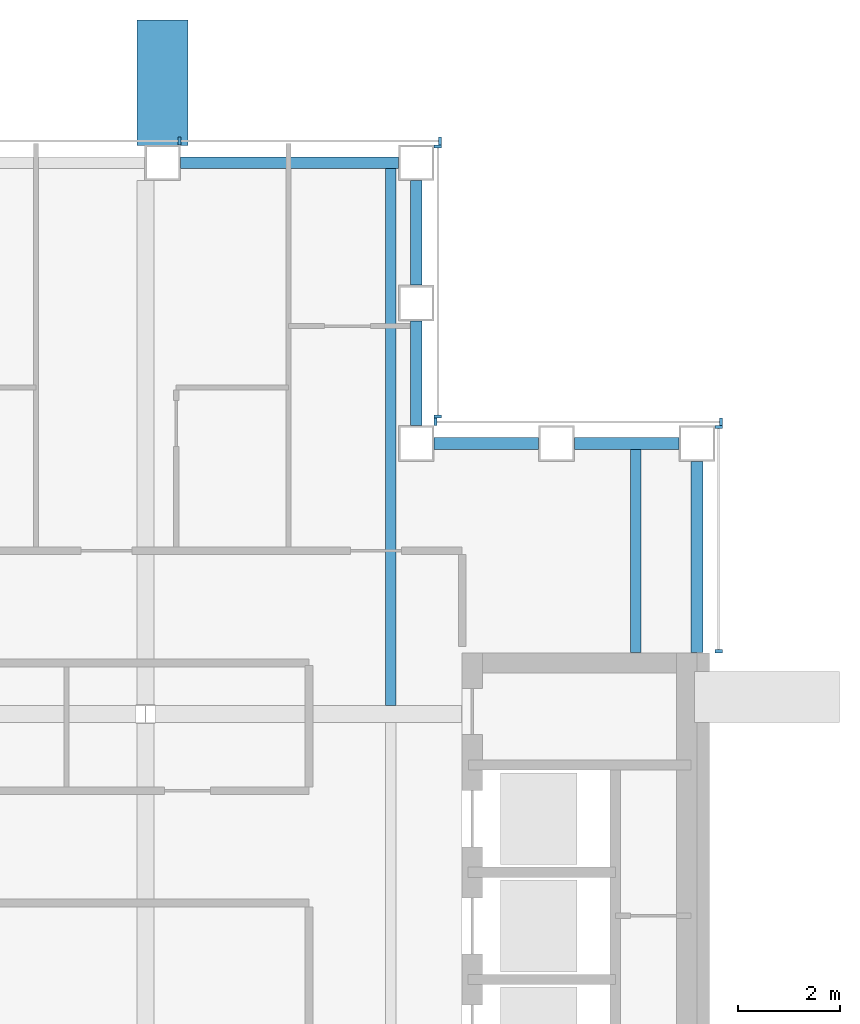
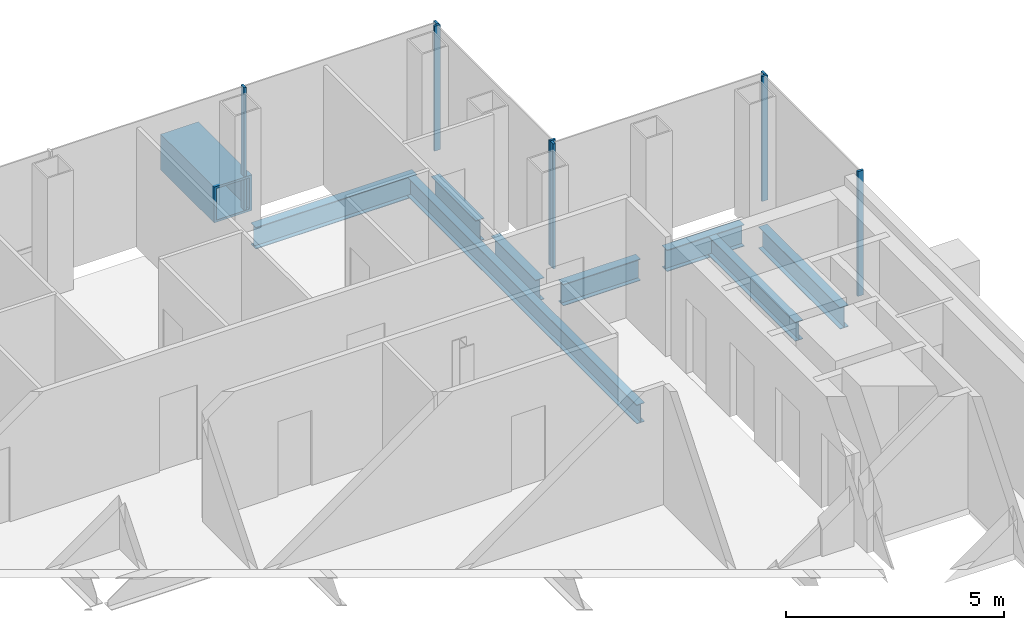
# One storey, part 7 of 14: 9 beams, 8 members, 4 elements without a shape of their own.
"""IFC4 building model written with IfcOpenShell, lengths in metres."""

from ifc_helpers import new_model, si_unit, direction, frame, origin, origin_2d, place, context, subcontext, project, spatial, rectangle, hollow_rectangle, i_section, extrude, material, material_profile, profile_set, type_object, element, aggregate, save


model = new_model("IFC4")

# Units and contexts
model_context = context("Model", 3, precision=1e-05, world=origin(), true_north=direction((0.0, 1.0)))
body_context = subcontext(model_context, "Body", "Model", "MODEL_VIEW")
ifc_project = project(units=[si_unit("LENGTHUNIT", "METRE"), si_unit("AREAUNIT", "SQUARE_METRE"), si_unit("VOLUMEUNIT", "CUBIC_METRE"), si_unit("PLANEANGLEUNIT", "RADIAN"), si_unit("MASSUNIT", "GRAM", prefix="KILO")], contexts=[model_context])

# Site, building, storey
site_placement = place(None, origin())
site = spatial("IfcSite", under=ifc_project, at=site_placement, CompositionType="ELEMENT")
building_placement = place(site_placement, origin())
building = spatial("IfcBuilding", under=site, at=building_placement, Name="Cobrizo Arcos Hotel Tower", CompositionType="ELEMENT")
storey_placement = place(building_placement, frame((0.0, 0.0, 208.5)))
storey = spatial("IfcBuildingStorey", under=building, at=storey_placement, Name="L54", CompositionType="ELEMENT", Elevation=208.5)

# Beam
ifc_material_1 = material(Name="Steel ASTM A572 Grade 50", Category="steel")
ifc_material_profile_1 = material_profile(ifc_material_1, hollow_rectangle(XDim=1.0, YDim=1.0, WallThickness=0.06005859375, at=origin_2d()), Name="BOX 1000X1000X60")
ifc_profile_set_1 = profile_set([ifc_material_profile_1], Name="Steel ASTM A572 Grade 50")
beam_type_1 = type_object("IfcBeamType", Name="BOX 1000X1000X60 brace connector strut", PredefinedType="BEAM", material=ifc_profile_set_1)
beam_1_placement = place(storey_placement, frame((9.933349609375, 20.739990234375, 0.5), z_axis=(0.0, 1.0, 0.0), x_axis=(-1.0, 0.0, 0.0)))
element("IfcBeam", 1, at=beam_1_placement, inside=storey, type_object=beam_type_1, Name="Perimeter brace stub BS1, zone Z4, north face, offset +9.93 m, L54", PredefinedType="BEAM", context=body_context, shape_type="SweptSolid", body=[
    extrude(hollow_rectangle(XDim=1.0, YDim=1.0, WallThickness=0.06005859375, at=origin_2d()), origin(), (0.0, 0.0, 1.0), 2.455078125),
])

# Curtain wall, members
ifc_material_2 = material(Name="Aluminium 6063-T6 anodised bronze", Category="aluminium")
curtain_wall_type = type_object("IfcCurtainWallType", Name="CW-A guest facade", PredefinedType="NOTDEFINED", material=ifc_material_2)
curtain_wall_1_placement = place(storey_placement, origin())
curtain_wall_1 = element("IfcCurtainWall", 2, at=curtain_wall_1_placement, inside=storey, type_object=curtain_wall_type, Name="CW-A L54 E face", PredefinedType="NOTDEFINED")
ifc_material_profile_2 = material_profile(ifc_material_2, rectangle(XDim=0.14990234375, YDim=0.06005859375, at=origin_2d()), Name="CW-A mullion 150x60")
ifc_profile_set_2 = profile_set([ifc_material_profile_2], Name="Aluminium 6063-T6 anodised bronze")
member_type = type_object("IfcMemberType", Name="CW-A mullion 150x60", PredefinedType="MULLION", material=ifc_profile_set_2)
member_1_placement = place(storey_placement, frame((20.824951171875, 10.830078125, 0.0), z_axis=(0.0, 0.0, 1.0), x_axis=(1.0, 0.0, 0.0)))
member_1 = element("IfcMember", 3, at=member_1_placement, type_object=member_type, Name="CW-A mullion 1", PredefinedType="MULLION", context=body_context, shape_type="SweptSolid", body=[
    extrude(rectangle(XDim=0.14990234375, YDim=0.06005859375, at=origin_2d()), origin(), (0.0, 0.0, 1.0), 3.5),
])
member_2_placement = place(storey_placement, frame((20.824951171875, 15.219970703125, 0.0), z_axis=(0.0, 0.0, 1.0), x_axis=(1.0, 0.0, 0.0)))
member_2 = element("IfcMember", 4, at=member_2_placement, type_object=member_type, Name="CW-A mullion 2", PredefinedType="MULLION", context=body_context, shape_type="SweptSolid", body=[
    extrude(rectangle(XDim=0.14990234375, YDim=0.06005859375, at=origin_2d()), origin(), (0.0, 0.0, 1.0), 3.5),
])
aggregate(curtain_wall_1, [member_1, member_2])

curtain_wall_2_placement = place(storey_placement, origin())
curtain_wall_2 = element("IfcCurtainWall", 5, at=curtain_wall_2_placement, inside=storey, type_object=curtain_wall_type, Name="CW-A L54 N face", PredefinedType="NOTDEFINED")
member_3_placement = place(storey_placement, frame((20.8701171875, 15.324951171875, 0.0), z_axis=(0.0, 0.0, 1.0), x_axis=(0.0, 1.0, 0.0)))
member_3 = element("IfcMember", 6, at=member_3_placement, type_object=member_type, Name="CW-A mullion 1", PredefinedType="MULLION", context=body_context, shape_type="SweptSolid", body=[
    extrude(rectangle(XDim=0.14990234375, YDim=0.06005859375, at=origin_2d()), origin(), (0.0, 0.0, 1.0), 3.5),
])
member_4_placement = place(storey_placement, frame((15.280029296875, 15.324951171875, 0.0), z_axis=(0.0, 0.0, 1.0), x_axis=(0.0, 1.0, 0.0)))
member_4 = element("IfcMember", 7, at=member_4_placement, type_object=member_type, Name="CW-A mullion 2", PredefinedType="MULLION", context=body_context, shape_type="SweptSolid", body=[
    extrude(rectangle(XDim=0.14990234375, YDim=0.06005859375, at=origin_2d()), origin(), (0.0, 0.0, 1.0), 3.5),
])
aggregate(curtain_wall_2, [member_3, member_4])

curtain_wall_3_placement = place(storey_placement, origin())
curtain_wall_3 = element("IfcCurtainWall", 8, at=curtain_wall_3_placement, inside=storey, type_object=curtain_wall_type, Name="CW-A L54 E face", PredefinedType="NOTDEFINED")
member_5_placement = place(storey_placement, frame((15.324951171875, 15.429931640625, 0.0), z_axis=(0.0, 0.0, 1.0), x_axis=(1.0, 0.0, 0.0)))
member_5 = element("IfcMember", 9, at=member_5_placement, type_object=member_type, Name="CW-A mullion 1", PredefinedType="MULLION", context=body_context, shape_type="SweptSolid", body=[
    extrude(rectangle(XDim=0.14990234375, YDim=0.06005859375, at=origin_2d()), origin(), (0.0, 0.0, 1.0), 3.5),
])
member_6_placement = place(storey_placement, frame((15.324951171875, 20.719970703125, 0.0), z_axis=(0.0, 0.0, 1.0), x_axis=(1.0, 0.0, 0.0)))
member_6 = element("IfcMember", 10, at=member_6_placement, type_object=member_type, Name="CW-A mullion 2", PredefinedType="MULLION", context=body_context, shape_type="SweptSolid", body=[
    extrude(rectangle(XDim=0.14990234375, YDim=0.06005859375, at=origin_2d()), origin(), (0.0, 0.0, 1.0), 3.5),
])
aggregate(curtain_wall_3, [member_5, member_6])

curtain_wall_4_placement = place(storey_placement, origin())
curtain_wall_4 = element("IfcCurtainWall", 11, at=curtain_wall_4_placement, inside=storey, type_object=curtain_wall_type, Name="CW-A L54 N face", PredefinedType="NOTDEFINED")
member_7_placement = place(storey_placement, frame((15.3701171875, 20.824951171875, 0.0), z_axis=(0.0, 0.0, 1.0), x_axis=(0.0, 1.0, 0.0)))
member_7 = element("IfcMember", 12, at=member_7_placement, type_object=member_type, Name="CW-A mullion 1", PredefinedType="MULLION", context=body_context, shape_type="SweptSolid", body=[
    extrude(rectangle(XDim=0.14990234375, YDim=0.06005859375, at=origin_2d()), origin(), (0.0, 0.0, 1.0), 3.5),
])
member_8_placement = place(storey_placement, frame((10.2666015625, 20.824951171875, 0.0), z_axis=(0.0, 0.0, 1.0), x_axis=(0.0, 1.0, 0.0)))
member_8 = element("IfcMember", 13, at=member_8_placement, type_object=member_type, Name="CW-A mullion 2", PredefinedType="MULLION", context=body_context, shape_type="SweptSolid", body=[
    extrude(rectangle(XDim=0.14990234375, YDim=0.06005859375, at=origin_2d()), origin(), (0.0, 0.0, 1.0), 3.5),
])
aggregate(curtain_wall_4, [member_7, member_8])

# Beams
ifc_material_3 = material(Name="Steel ASTM A992 Grade 50", Category="steel")
ifc_material_profile_3 = material_profile(ifc_material_3, i_section(OverallWidth=0.209228515625, OverallDepth=0.533447265625, WebThickness=0.01025390625, FlangeThickness=0.015625, at=origin_2d()), Name="W21X62")
ifc_profile_set_3 = profile_set([ifc_material_profile_3], Name="Steel ASTM A992 Grade 50")
beam_type_2 = type_object("IfcBeamType", Name="W21X62 joist", PredefinedType="JOIST", material=ifc_profile_set_3)
beam_2_placement = place(storey_placement, frame((14.39990234375, 9.763916015625, -0.416748046875), z_axis=(0.0, 1.0, 0.0), x_axis=(-1.0, 0.0, 0.0)))
element("IfcBeam", 14, at=beam_2_placement, inside=storey, type_object=beam_type_2, Name="Floor joist J1, L54, no. 018", PredefinedType="JOIST", context=body_context, shape_type="SweptSolid", body=[
    extrude(i_section(OverallWidth=0.209228515625, OverallDepth=0.533447265625, WebThickness=0.01025390625, FlangeThickness=0.015625, at=origin_2d()), origin(), (0.0, 0.0, 1.0), 10.546142578125),
])
beam_3_placement = place(storey_placement, frame((19.199951171875, 10.81005859375, -0.416748046875), z_axis=(0.0, 1.0, 0.0), x_axis=(-1.0, 0.0, 0.0)))
element("IfcBeam", 15, at=beam_3_placement, inside=storey, type_object=beam_type_2, Name="Floor joist J1, L54, no. 020", PredefinedType="JOIST", context=body_context, shape_type="SweptSolid", body=[
    extrude(i_section(OverallWidth=0.209228515625, OverallDepth=0.533447265625, WebThickness=0.01025390625, FlangeThickness=0.015625, at=origin_2d()), origin(), (0.0, 0.0, 1.0), 4.0),
])
ifc_material_profile_4 = material_profile(ifc_material_3, i_section(OverallWidth=0.228271484375, OverallDepth=0.607177734375, WebThickness=0.01123046875, FlangeThickness=0.017333984375, at=origin_2d()), Name="W24X76")
ifc_profile_set_4 = profile_set([ifc_material_profile_4], Name="Steel ASTM A992 Grade 50")
beam_type_3 = type_object("IfcBeamType", Name="W24X76 spandrel", PredefinedType="SPANDREL", material=ifc_profile_set_4)
beam_4_placement = place(storey_placement, frame((20.39990234375, 10.81005859375, -0.45361328125), z_axis=(0.0, 1.0, 0.0), x_axis=(-1.0, 0.0, 0.0)))
element("IfcBeam", 16, at=beam_4_placement, inside=storey, type_object=beam_type_3, Name="Spandrel beam W24X76, L54, no. 012", PredefinedType="SPANDREL", context=body_context, shape_type="SweptSolid", body=[
    extrude(i_section(OverallWidth=0.228271484375, OverallDepth=0.607177734375, WebThickness=0.01123046875, FlangeThickness=0.017333984375, at=origin_2d()), origin(), (0.0, 0.0, 1.0), 3.739990234375),
])
for number, where, z_axis, x_axis, name in (
    (17, (20.050048828125, 14.89990234375, -0.45361328125), (-1.0, 0.0, 0.0), (0.0, -1.0, 0.0), "Spandrel beam W24X76, L54, no. 013"),
    (18, (17.300048828125, 14.89990234375, -0.45361328125), (-1.0, 0.0, 0.0), (0.0, -1.0, 0.0), "Spandrel beam W24X76, L54, no. 014"),
    (19, (14.89990234375, 15.25, -0.45361328125), (0.0, 1.0, 0.0), (-1.0, 0.0, 0.0), "Spandrel beam W24X76, L54, no. 015"),
    (20, (14.89990234375, 18.0, -0.45361328125), (0.0, 1.0, 0.0), (-1.0, 0.0, 0.0), "Spandrel beam W24X76, L54, no. 016"),
):
    element("IfcBeam", number, at=place(storey_placement, frame(where, z_axis=z_axis, x_axis=x_axis)), inside=storey, type_object=beam_type_3, Name=name, PredefinedType="SPANDREL", context=body_context, shape_type="SweptSolid", body=[
        extrude(i_section(OverallWidth=0.228271484375, OverallDepth=0.607177734375, WebThickness=0.01123046875, FlangeThickness=0.017333984375, at=origin_2d()), origin(), (0.0, 0.0, 1.0), 2.050048828125),
    ])
beam_5_placement = place(storey_placement, frame((14.550048828125, 20.39990234375, -0.45361328125), z_axis=(-1.0, 0.0, 0.0), x_axis=(0.0, -1.0, 0.0)))
element("IfcBeam", 21, at=beam_5_placement, inside=storey, type_object=beam_type_3, Name="Spandrel beam W24X76, L54, no. 017", PredefinedType="SPANDREL", context=body_context, shape_type="SweptSolid", body=[
    extrude(i_section(OverallWidth=0.228271484375, OverallDepth=0.607177734375, WebThickness=0.01123046875, FlangeThickness=0.017333984375, at=origin_2d()), origin(), (0.0, 0.0, 1.0), 4.26708984375),
])

save(model, "model.ifc")
